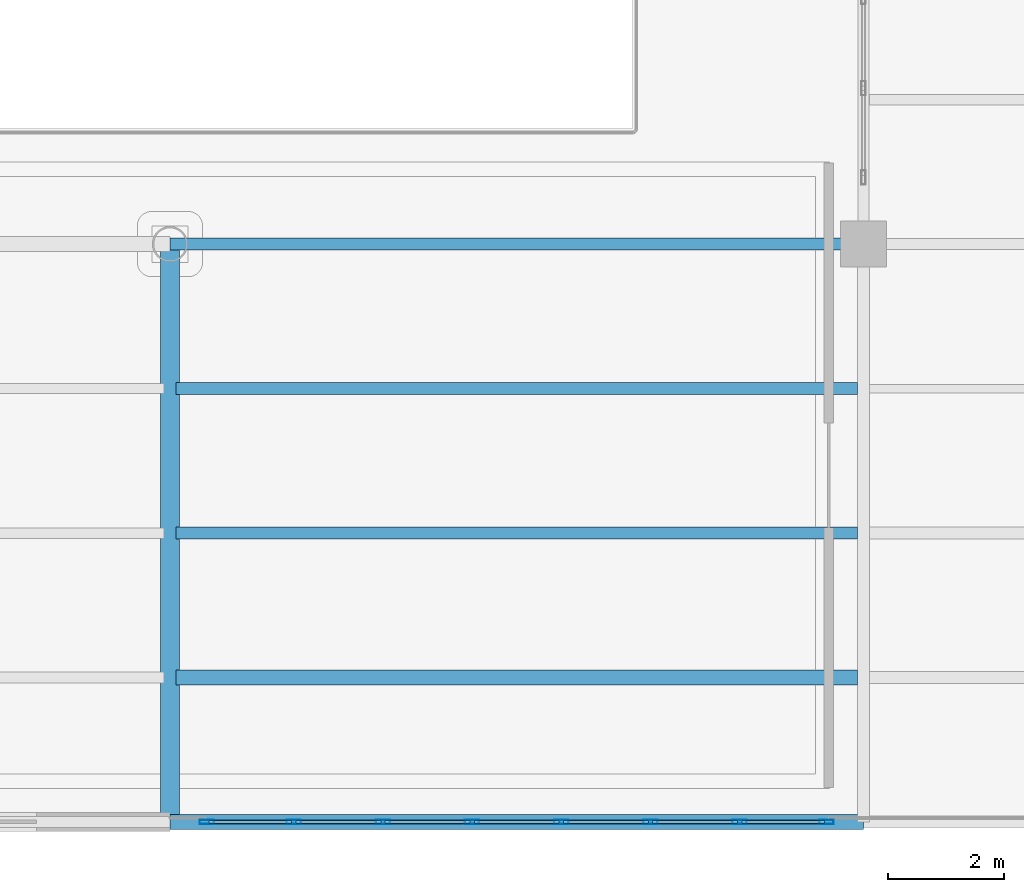
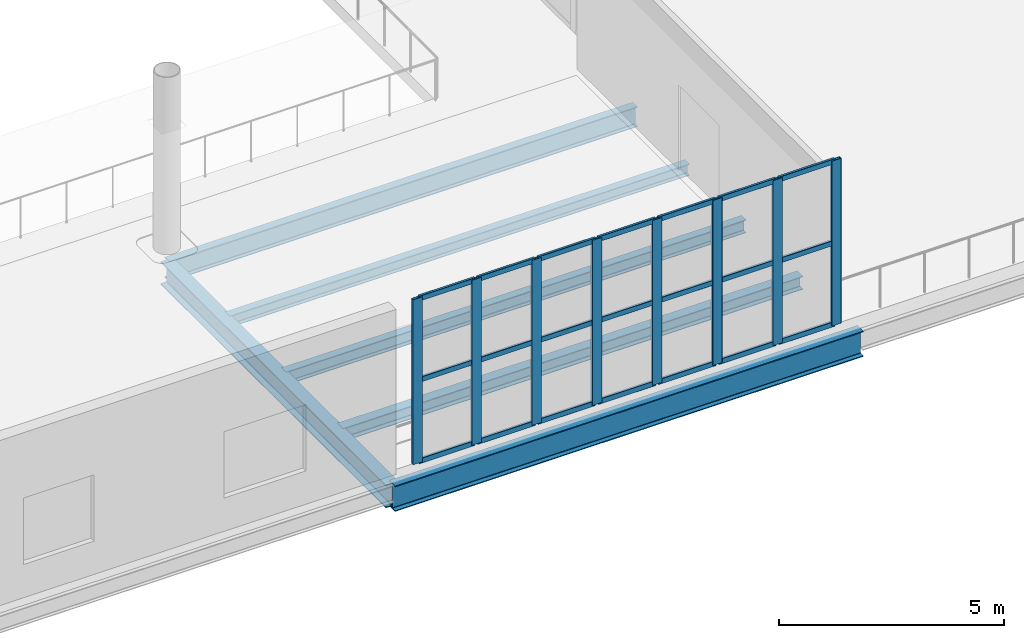
# One storey, part 22 of 136: 29 members, 6 beams, 1 element without a shape of its own.
"""IFC4 building model written with IfcOpenShell, lengths in metres."""

from ifc_helpers import new_model, si_unit, direction, frame, origin, origin_2d, place, context, subcontext, project, spatial, hollow_rectangle, i_section, extrude, material, layer, layer_set, material_profile, profile_set, type_object, element, aggregate, save


model = new_model("IFC4")

# Units and contexts
model_context = context("Model", 3, precision=1e-05, world=origin(), true_north=direction((0.0, 1.0)))
body_context = subcontext(model_context, "Body", "Model", "MODEL_VIEW")
ifc_project = project(units=[si_unit("LENGTHUNIT", "METRE"), si_unit("AREAUNIT", "SQUARE_METRE"), si_unit("VOLUMEUNIT", "CUBIC_METRE"), si_unit("PLANEANGLEUNIT", "RADIAN"), si_unit("MASSUNIT", "GRAM", prefix="KILO")], contexts=[model_context])

# Site, building, storey
site_placement = place(None, origin())
site = spatial("IfcSite", under=ifc_project, at=site_placement, CompositionType="ELEMENT")
building_placement = place(site_placement, origin())
building = spatial("IfcBuilding", under=site, at=building_placement, Name="Brinegate Civic Arena", CompositionType="ELEMENT")
storey_placement = place(building_placement, frame((0.0, 0.0, 5.39990234375)))
storey = spatial("IfcBuildingStorey", under=building, at=storey_placement, Name="L01", CompositionType="ELEMENT", Elevation=5.39990234375)

# Curtain wall, members
ifc_material_1 = material(Name="Marine grade aluminium", Category="aluminium")
ifc_layer = layer(ifc_material_1, 0.18505859375, Name="Marine grade aluminium")
ifc_layer_set = layer_set([ifc_layer], Name="Marine grade aluminium")
curtain_wall_type = type_object("IfcCurtainWallType", Name="CW-WING-GLAZED-03", PredefinedType="USERDEFINED", material=ifc_layer_set)
curtain_wall_placement = place(storey_placement, origin())
curtain_wall = element("IfcCurtainWall", 1, at=curtain_wall_placement, inside=storey, type_object=curtain_wall_type, Name="Curtain Wall CWA-017", ObjectType="GLAZED CURTAIN WALL", PredefinedType="USERDEFINED")
ifc_material_profile_1 = material_profile(ifc_material_1, hollow_rectangle(XDim=0.074951171875, YDim=0.25, WallThickness=0.006103515625, InnerFilletRadius=0.00390625, OuterFilletRadius=0.008056640625, at=origin_2d()), Name="MUL75X250")
ifc_profile_set_1 = profile_set([ifc_material_profile_1], Name="Marine grade aluminium")
member_type_1 = type_object("IfcMemberType", Name="CW-MULLION-75X250", PredefinedType="MULLION", material=ifc_profile_set_1)
member_1_placement = place(storey_placement, frame((36.637451171875, 0.0, 0.0), z_axis=(0.0, 0.0, 1.0), x_axis=(0.0, 1.0, 0.0)))
member_1 = element("IfcMember", 2, at=member_1_placement, type_object=member_type_1, Name="CWA-017 mullion 1", PredefinedType="MULLION", context=body_context, shape_type="SweptSolid", body=[
    extrude(hollow_rectangle(XDim=0.074951171875, YDim=0.25, WallThickness=0.006103515625, InnerFilletRadius=0.00390625, OuterFilletRadius=0.008056640625, at=origin_2d()), origin(), (0.0, 0.0, 1.0), 4.47021484375),
])
member_2_placement = place(storey_placement, frame((38.142822265625, 0.0, 0.0), z_axis=(0.0, 0.0, 1.0), x_axis=(0.0, 1.0, 0.0)))
member_2 = element("IfcMember", 3, at=member_2_placement, type_object=member_type_1, Name="CWA-017 mullion 2", PredefinedType="MULLION", context=body_context, shape_type="SweptSolid", body=[
    extrude(hollow_rectangle(XDim=0.074951171875, YDim=0.25, WallThickness=0.006103515625, InnerFilletRadius=0.00390625, OuterFilletRadius=0.008056640625, at=origin_2d()), origin(), (0.0, 0.0, 1.0), 4.47021484375),
])
member_3_placement = place(storey_placement, frame((39.685791015625, 0.0, 0.0), z_axis=(0.0, 0.0, 1.0), x_axis=(0.0, 1.0, 0.0)))
member_3 = element("IfcMember", 4, at=member_3_placement, type_object=member_type_1, Name="CWA-017 mullion 3", PredefinedType="MULLION", context=body_context, shape_type="SweptSolid", body=[
    extrude(hollow_rectangle(XDim=0.074951171875, YDim=0.25, WallThickness=0.006103515625, InnerFilletRadius=0.00390625, OuterFilletRadius=0.008056640625, at=origin_2d()), origin(), (0.0, 0.0, 1.0), 4.47021484375),
])
member_4_placement = place(storey_placement, frame((41.228515625, 0.0, 0.0), z_axis=(0.0, 0.0, 1.0), x_axis=(0.0, 1.0, 0.0)))
member_4 = element("IfcMember", 5, at=member_4_placement, type_object=member_type_1, Name="CWA-017 mullion 4", PredefinedType="MULLION", context=body_context, shape_type="SweptSolid", body=[
    extrude(hollow_rectangle(XDim=0.074951171875, YDim=0.25, WallThickness=0.006103515625, InnerFilletRadius=0.00390625, OuterFilletRadius=0.008056640625, at=origin_2d()), origin(), (0.0, 0.0, 1.0), 4.47021484375),
])
member_5_placement = place(storey_placement, frame((42.771484375, 0.0, 0.0), z_axis=(0.0, 0.0, 1.0), x_axis=(0.0, 1.0, 0.0)))
member_5 = element("IfcMember", 6, at=member_5_placement, type_object=member_type_1, Name="CWA-017 mullion 5", PredefinedType="MULLION", context=body_context, shape_type="SweptSolid", body=[
    extrude(hollow_rectangle(XDim=0.074951171875, YDim=0.25, WallThickness=0.006103515625, InnerFilletRadius=0.00390625, OuterFilletRadius=0.008056640625, at=origin_2d()), origin(), (0.0, 0.0, 1.0), 4.47021484375),
])
member_6_placement = place(storey_placement, frame((44.314208984375, 0.0, 0.0), z_axis=(0.0, 0.0, 1.0), x_axis=(0.0, 1.0, 0.0)))
member_6 = element("IfcMember", 7, at=member_6_placement, type_object=member_type_1, Name="CWA-017 mullion 6", PredefinedType="MULLION", context=body_context, shape_type="SweptSolid", body=[
    extrude(hollow_rectangle(XDim=0.074951171875, YDim=0.25, WallThickness=0.006103515625, InnerFilletRadius=0.00390625, OuterFilletRadius=0.008056640625, at=origin_2d()), origin(), (0.0, 0.0, 1.0), 4.47021484375),
])
member_7_placement = place(storey_placement, frame((45.857177734375, 0.0, 0.0), z_axis=(0.0, 0.0, 1.0), x_axis=(0.0, 1.0, 0.0)))
member_7 = element("IfcMember", 8, at=member_7_placement, type_object=member_type_1, Name="CWA-017 mullion 7", PredefinedType="MULLION", context=body_context, shape_type="SweptSolid", body=[
    extrude(hollow_rectangle(XDim=0.074951171875, YDim=0.25, WallThickness=0.006103515625, InnerFilletRadius=0.00390625, OuterFilletRadius=0.008056640625, at=origin_2d()), origin(), (0.0, 0.0, 1.0), 4.47021484375),
])
member_8_placement = place(storey_placement, frame((47.362548828125, 0.0, 0.0), z_axis=(0.0, 0.0, 1.0), x_axis=(0.0, 1.0, 0.0)))
member_8 = element("IfcMember", 9, at=member_8_placement, type_object=member_type_1, Name="CWA-017 mullion 8", PredefinedType="MULLION", context=body_context, shape_type="SweptSolid", body=[
    extrude(hollow_rectangle(XDim=0.074951171875, YDim=0.25, WallThickness=0.006103515625, InnerFilletRadius=0.00390625, OuterFilletRadius=0.008056640625, at=origin_2d()), origin(), (0.0, 0.0, 1.0), 4.47021484375),
])
ifc_material_profile_2 = material_profile(ifc_material_1, hollow_rectangle(XDim=0.06494140625, YDim=0.139892578125, WallThickness=0.0048828125, InnerFilletRadius=0.00390625, OuterFilletRadius=0.008056640625, at=origin_2d()), Name="TRN65X140")
ifc_profile_set_2 = profile_set([ifc_material_profile_2], Name="Marine grade aluminium")
member_type_2 = type_object("IfcMemberType", Name="CW-TRANSOM-65X140", PredefinedType="USERDEFINED", material=ifc_profile_set_2)
member_9_placement = place(storey_placement, frame((36.675048828125, 0.0, 0.03271484375), z_axis=(1.0, 0.0, 0.0), x_axis=(0.0, 1.0, 0.0)))
member_9 = element("IfcMember", 10, at=member_9_placement, type_object=member_type_2, Name="CWA-017 transom 1.1", ObjectType="TRANSOM", PredefinedType="USERDEFINED", context=body_context, shape_type="SweptSolid", body=[
    extrude(hollow_rectangle(XDim=0.06494140625, YDim=0.139892578125, WallThickness=0.0048828125, InnerFilletRadius=0.00390625, OuterFilletRadius=0.008056640625, at=origin_2d()), origin(), (0.0, 0.0, 1.0), 1.430419921875),
])
member_10_placement = place(storey_placement, frame((36.675048828125, 0.0, 2.235107421875), z_axis=(1.0, 0.0, 0.0), x_axis=(0.0, 1.0, 0.0)))
member_10 = element("IfcMember", 11, at=member_10_placement, type_object=member_type_2, Name="CWA-017 transom 1.2", ObjectType="TRANSOM", PredefinedType="USERDEFINED", context=body_context, shape_type="SweptSolid", body=[
    extrude(hollow_rectangle(XDim=0.06494140625, YDim=0.139892578125, WallThickness=0.0048828125, InnerFilletRadius=0.00390625, OuterFilletRadius=0.008056640625, at=origin_2d()), origin(), (0.0, 0.0, 1.0), 1.430419921875),
])
member_11_placement = place(storey_placement, frame((36.675048828125, 0.0, 4.4375), z_axis=(1.0, 0.0, 0.0), x_axis=(0.0, 1.0, 0.0)))
member_11 = element("IfcMember", 12, at=member_11_placement, type_object=member_type_2, Name="CWA-017 transom 1.3", ObjectType="TRANSOM", PredefinedType="USERDEFINED", context=body_context, shape_type="SweptSolid", body=[
    extrude(hollow_rectangle(XDim=0.06494140625, YDim=0.139892578125, WallThickness=0.0048828125, InnerFilletRadius=0.00390625, OuterFilletRadius=0.008056640625, at=origin_2d()), origin(), (0.0, 0.0, 1.0), 1.430419921875),
])
member_12_placement = place(storey_placement, frame((38.180419921875, 0.0, 0.03271484375), z_axis=(1.0, 0.0, 0.0), x_axis=(0.0, 1.0, 0.0)))
member_12 = element("IfcMember", 13, at=member_12_placement, type_object=member_type_2, Name="CWA-017 transom 2.1", ObjectType="TRANSOM", PredefinedType="USERDEFINED", context=body_context, shape_type="SweptSolid", body=[
    extrude(hollow_rectangle(XDim=0.06494140625, YDim=0.139892578125, WallThickness=0.0048828125, InnerFilletRadius=0.00390625, OuterFilletRadius=0.008056640625, at=origin_2d()), origin(), (0.0, 0.0, 1.0), 1.4677734375),
])
member_13_placement = place(storey_placement, frame((38.180419921875, 0.0, 2.235107421875), z_axis=(1.0, 0.0, 0.0), x_axis=(0.0, 1.0, 0.0)))
member_13 = element("IfcMember", 14, at=member_13_placement, type_object=member_type_2, Name="CWA-017 transom 2.2", ObjectType="TRANSOM", PredefinedType="USERDEFINED", context=body_context, shape_type="SweptSolid", body=[
    extrude(hollow_rectangle(XDim=0.06494140625, YDim=0.139892578125, WallThickness=0.0048828125, InnerFilletRadius=0.00390625, OuterFilletRadius=0.008056640625, at=origin_2d()), origin(), (0.0, 0.0, 1.0), 1.4677734375),
])
member_14_placement = place(storey_placement, frame((38.180419921875, 0.0, 4.4375), z_axis=(1.0, 0.0, 0.0), x_axis=(0.0, 1.0, 0.0)))
member_14 = element("IfcMember", 15, at=member_14_placement, type_object=member_type_2, Name="CWA-017 transom 2.3", ObjectType="TRANSOM", PredefinedType="USERDEFINED", context=body_context, shape_type="SweptSolid", body=[
    extrude(hollow_rectangle(XDim=0.06494140625, YDim=0.139892578125, WallThickness=0.0048828125, InnerFilletRadius=0.00390625, OuterFilletRadius=0.008056640625, at=origin_2d()), origin(), (0.0, 0.0, 1.0), 1.4677734375),
])
member_15_placement = place(storey_placement, frame((39.72314453125, 0.0, 0.03271484375), z_axis=(1.0, 0.0, 0.0), x_axis=(0.0, 1.0, 0.0)))
member_15 = element("IfcMember", 16, at=member_15_placement, type_object=member_type_2, Name="CWA-017 transom 3.1", ObjectType="TRANSOM", PredefinedType="USERDEFINED", context=body_context, shape_type="SweptSolid", body=[
    extrude(hollow_rectangle(XDim=0.06494140625, YDim=0.139892578125, WallThickness=0.0048828125, InnerFilletRadius=0.00390625, OuterFilletRadius=0.008056640625, at=origin_2d()), origin(), (0.0, 0.0, 1.0), 1.468017578125),
])
member_16_placement = place(storey_placement, frame((39.72314453125, 0.0, 2.235107421875), z_axis=(1.0, 0.0, 0.0), x_axis=(0.0, 1.0, 0.0)))
member_16 = element("IfcMember", 17, at=member_16_placement, type_object=member_type_2, Name="CWA-017 transom 3.2", ObjectType="TRANSOM", PredefinedType="USERDEFINED", context=body_context, shape_type="SweptSolid", body=[
    extrude(hollow_rectangle(XDim=0.06494140625, YDim=0.139892578125, WallThickness=0.0048828125, InnerFilletRadius=0.00390625, OuterFilletRadius=0.008056640625, at=origin_2d()), origin(), (0.0, 0.0, 1.0), 1.468017578125),
])
member_17_placement = place(storey_placement, frame((39.72314453125, 0.0, 4.4375), z_axis=(1.0, 0.0, 0.0), x_axis=(0.0, 1.0, 0.0)))
member_17 = element("IfcMember", 18, at=member_17_placement, type_object=member_type_2, Name="CWA-017 transom 3.3", ObjectType="TRANSOM", PredefinedType="USERDEFINED", context=body_context, shape_type="SweptSolid", body=[
    extrude(hollow_rectangle(XDim=0.06494140625, YDim=0.139892578125, WallThickness=0.0048828125, InnerFilletRadius=0.00390625, OuterFilletRadius=0.008056640625, at=origin_2d()), origin(), (0.0, 0.0, 1.0), 1.468017578125),
])
member_18_placement = place(storey_placement, frame((41.26611328125, 0.0, 0.03271484375), z_axis=(1.0, 0.0, 0.0), x_axis=(0.0, 1.0, 0.0)))
member_18 = element("IfcMember", 19, at=member_18_placement, type_object=member_type_2, Name="CWA-017 transom 4.1", ObjectType="TRANSOM", PredefinedType="USERDEFINED", context=body_context, shape_type="SweptSolid", body=[
    extrude(hollow_rectangle(XDim=0.06494140625, YDim=0.139892578125, WallThickness=0.0048828125, InnerFilletRadius=0.00390625, OuterFilletRadius=0.008056640625, at=origin_2d()), origin(), (0.0, 0.0, 1.0), 1.4677734375),
])
member_19_placement = place(storey_placement, frame((41.26611328125, 0.0, 2.235107421875), z_axis=(1.0, 0.0, 0.0), x_axis=(0.0, 1.0, 0.0)))
member_19 = element("IfcMember", 20, at=member_19_placement, type_object=member_type_2, Name="CWA-017 transom 4.2", ObjectType="TRANSOM", PredefinedType="USERDEFINED", context=body_context, shape_type="SweptSolid", body=[
    extrude(hollow_rectangle(XDim=0.06494140625, YDim=0.139892578125, WallThickness=0.0048828125, InnerFilletRadius=0.00390625, OuterFilletRadius=0.008056640625, at=origin_2d()), origin(), (0.0, 0.0, 1.0), 1.4677734375),
])
member_20_placement = place(storey_placement, frame((41.26611328125, 0.0, 4.4375), z_axis=(1.0, 0.0, 0.0), x_axis=(0.0, 1.0, 0.0)))
member_20 = element("IfcMember", 21, at=member_20_placement, type_object=member_type_2, Name="CWA-017 transom 4.3", ObjectType="TRANSOM", PredefinedType="USERDEFINED", context=body_context, shape_type="SweptSolid", body=[
    extrude(hollow_rectangle(XDim=0.06494140625, YDim=0.139892578125, WallThickness=0.0048828125, InnerFilletRadius=0.00390625, OuterFilletRadius=0.008056640625, at=origin_2d()), origin(), (0.0, 0.0, 1.0), 1.4677734375),
])
member_21_placement = place(storey_placement, frame((42.808837890625, 0.0, 0.03271484375), z_axis=(1.0, 0.0, 0.0), x_axis=(0.0, 1.0, 0.0)))
member_21 = element("IfcMember", 22, at=member_21_placement, type_object=member_type_2, Name="CWA-017 transom 5.1", ObjectType="TRANSOM", PredefinedType="USERDEFINED", context=body_context, shape_type="SweptSolid", body=[
    extrude(hollow_rectangle(XDim=0.06494140625, YDim=0.139892578125, WallThickness=0.0048828125, InnerFilletRadius=0.00390625, OuterFilletRadius=0.008056640625, at=origin_2d()), origin(), (0.0, 0.0, 1.0), 1.468017578125),
])
member_22_placement = place(storey_placement, frame((42.808837890625, 0.0, 2.235107421875), z_axis=(1.0, 0.0, 0.0), x_axis=(0.0, 1.0, 0.0)))
member_22 = element("IfcMember", 23, at=member_22_placement, type_object=member_type_2, Name="CWA-017 transom 5.2", ObjectType="TRANSOM", PredefinedType="USERDEFINED", context=body_context, shape_type="SweptSolid", body=[
    extrude(hollow_rectangle(XDim=0.06494140625, YDim=0.139892578125, WallThickness=0.0048828125, InnerFilletRadius=0.00390625, OuterFilletRadius=0.008056640625, at=origin_2d()), origin(), (0.0, 0.0, 1.0), 1.468017578125),
])
member_23_placement = place(storey_placement, frame((42.808837890625, 0.0, 4.4375), z_axis=(1.0, 0.0, 0.0), x_axis=(0.0, 1.0, 0.0)))
member_23 = element("IfcMember", 24, at=member_23_placement, type_object=member_type_2, Name="CWA-017 transom 5.3", ObjectType="TRANSOM", PredefinedType="USERDEFINED", context=body_context, shape_type="SweptSolid", body=[
    extrude(hollow_rectangle(XDim=0.06494140625, YDim=0.139892578125, WallThickness=0.0048828125, InnerFilletRadius=0.00390625, OuterFilletRadius=0.008056640625, at=origin_2d()), origin(), (0.0, 0.0, 1.0), 1.468017578125),
])
member_24_placement = place(storey_placement, frame((44.351806640625, 0.0, 0.03271484375), z_axis=(1.0, 0.0, 0.0), x_axis=(0.0, 1.0, 0.0)))
member_24 = element("IfcMember", 25, at=member_24_placement, type_object=member_type_2, Name="CWA-017 transom 6.1", ObjectType="TRANSOM", PredefinedType="USERDEFINED", context=body_context, shape_type="SweptSolid", body=[
    extrude(hollow_rectangle(XDim=0.06494140625, YDim=0.139892578125, WallThickness=0.0048828125, InnerFilletRadius=0.00390625, OuterFilletRadius=0.008056640625, at=origin_2d()), origin(), (0.0, 0.0, 1.0), 1.4677734375),
])
member_25_placement = place(storey_placement, frame((44.351806640625, 0.0, 2.235107421875), z_axis=(1.0, 0.0, 0.0), x_axis=(0.0, 1.0, 0.0)))
member_25 = element("IfcMember", 26, at=member_25_placement, type_object=member_type_2, Name="CWA-017 transom 6.2", ObjectType="TRANSOM", PredefinedType="USERDEFINED", context=body_context, shape_type="SweptSolid", body=[
    extrude(hollow_rectangle(XDim=0.06494140625, YDim=0.139892578125, WallThickness=0.0048828125, InnerFilletRadius=0.00390625, OuterFilletRadius=0.008056640625, at=origin_2d()), origin(), (0.0, 0.0, 1.0), 1.4677734375),
])
member_26_placement = place(storey_placement, frame((44.351806640625, 0.0, 4.4375), z_axis=(1.0, 0.0, 0.0), x_axis=(0.0, 1.0, 0.0)))
member_26 = element("IfcMember", 27, at=member_26_placement, type_object=member_type_2, Name="CWA-017 transom 6.3", ObjectType="TRANSOM", PredefinedType="USERDEFINED", context=body_context, shape_type="SweptSolid", body=[
    extrude(hollow_rectangle(XDim=0.06494140625, YDim=0.139892578125, WallThickness=0.0048828125, InnerFilletRadius=0.00390625, OuterFilletRadius=0.008056640625, at=origin_2d()), origin(), (0.0, 0.0, 1.0), 1.4677734375),
])
member_27_placement = place(storey_placement, frame((45.89453125, 0.0, 0.03271484375), z_axis=(1.0, 0.0, 0.0), x_axis=(0.0, 1.0, 0.0)))
member_27 = element("IfcMember", 28, at=member_27_placement, type_object=member_type_2, Name="CWA-017 transom 7.1", ObjectType="TRANSOM", PredefinedType="USERDEFINED", context=body_context, shape_type="SweptSolid", body=[
    extrude(hollow_rectangle(XDim=0.06494140625, YDim=0.139892578125, WallThickness=0.0048828125, InnerFilletRadius=0.00390625, OuterFilletRadius=0.008056640625, at=origin_2d()), origin(), (0.0, 0.0, 1.0), 1.430419921875),
])
member_28_placement = place(storey_placement, frame((45.89453125, 0.0, 2.235107421875), z_axis=(1.0, 0.0, 0.0), x_axis=(0.0, 1.0, 0.0)))
member_28 = element("IfcMember", 29, at=member_28_placement, type_object=member_type_2, Name="CWA-017 transom 7.2", ObjectType="TRANSOM", PredefinedType="USERDEFINED", context=body_context, shape_type="SweptSolid", body=[
    extrude(hollow_rectangle(XDim=0.06494140625, YDim=0.139892578125, WallThickness=0.0048828125, InnerFilletRadius=0.00390625, OuterFilletRadius=0.008056640625, at=origin_2d()), origin(), (0.0, 0.0, 1.0), 1.430419921875),
])
member_29_placement = place(storey_placement, frame((45.89453125, 0.0, 4.4375), z_axis=(1.0, 0.0, 0.0), x_axis=(0.0, 1.0, 0.0)))
member_29 = element("IfcMember", 30, at=member_29_placement, type_object=member_type_2, Name="CWA-017 transom 7.3", ObjectType="TRANSOM", PredefinedType="USERDEFINED", context=body_context, shape_type="SweptSolid", body=[
    extrude(hollow_rectangle(XDim=0.06494140625, YDim=0.139892578125, WallThickness=0.0048828125, InnerFilletRadius=0.00390625, OuterFilletRadius=0.008056640625, at=origin_2d()), origin(), (0.0, 0.0, 1.0), 1.430419921875),
])
aggregate(curtain_wall, [member_1, member_2, member_3, member_4, member_5, member_6, member_7, member_8, member_9, member_10, member_11, member_12, member_13, member_14, member_15, member_16, member_17, member_18, member_19, member_20, member_21, member_22, member_23, member_24, member_25, member_26, member_27, member_28, member_29])

# Beams
ifc_material_2 = material(Name="Steel S355", Category="steel")
ifc_material_profile_3 = material_profile(ifc_material_2, i_section(OverallWidth=0.324951171875, OverallDepth=0.615966796875, WebThickness=0.013916015625, FlangeThickness=0.02197265625, FilletRadius=0.01611328125, at=origin_2d()), Name="W610X174")
ifc_profile_set_3 = profile_set([ifc_material_profile_3], Name="Steel S355")
beam_type_1 = type_object("IfcBeamType", Name="GIRDER-W610X174", PredefinedType="BEAM", material=ifc_profile_set_3)
beam_1_placement = place(storey_placement, frame((36.0, 0.0, -0.64794921875), z_axis=(0.0, 1.0, 0.0), x_axis=(-1.0, 0.0, 0.0)))
element("IfcBeam", 31, at=beam_1_placement, inside=storey, type_object=beam_type_1, Name="Floor Girder BM-L01-GY-03-00", PredefinedType="BEAM", context=body_context, shape_type="SweptSolid", body=[
    extrude(i_section(OverallWidth=0.324951171875, OverallDepth=0.615966796875, WebThickness=0.013916015625, FlangeThickness=0.02197265625, FilletRadius=0.01611328125, at=origin_2d()), origin(), (0.0, 0.0, 1.0), 10.0),
])
ifc_material_profile_4 = material_profile(ifc_material_2, i_section(OverallWidth=0.205078125, OverallDepth=0.31005859375, WebThickness=0.009033203125, FlangeThickness=0.01611328125, FilletRadius=0.012939453125, at=origin_2d()), Name="W310X74")
ifc_profile_set_4 = profile_set([ifc_material_profile_4], Name="Steel S355")
beam_type_2 = type_object("IfcBeamType", Name="JOIST-W310X74", PredefinedType="JOIST", material=ifc_profile_set_4)
beam_2_placement = place(storey_placement, frame((36.10595703125, 7.5, -0.494873046875), z_axis=(1.0, 0.0, 0.0), x_axis=(0.0, 1.0, 0.0)))
element("IfcBeam", 32, at=beam_2_placement, inside=storey, type_object=beam_type_2, Name="Secondary Joist BM-L01-JX-03-00-3", PredefinedType="JOIST", context=body_context, shape_type="SweptSolid", body=[
    extrude(i_section(OverallWidth=0.205078125, OverallDepth=0.31005859375, WebThickness=0.009033203125, FlangeThickness=0.01611328125, FilletRadius=0.012939453125, at=origin_2d()), origin(), (0.0, 0.0, 1.0), 11.7880859375),
])
ifc_material_profile_5 = material_profile(ifc_material_2, i_section(OverallWidth=0.205078125, OverallDepth=0.35400390625, WebThickness=0.009033203125, FlangeThickness=0.01708984375, FilletRadius=0.013916015625, at=origin_2d()), Name="W360X79")
ifc_profile_set_5 = profile_set([ifc_material_profile_5], Name="Steel S355")
beam_type_3 = type_object("IfcBeamType", Name="JOIST-W360X79", PredefinedType="JOIST", material=ifc_profile_set_5)
beam_3_placement = place(storey_placement, frame((36.10595703125, 5.0, -0.516845703125), z_axis=(1.0, 0.0, 0.0), x_axis=(0.0, 1.0, 0.0)))
element("IfcBeam", 33, at=beam_3_placement, inside=storey, type_object=beam_type_3, Name="Secondary Joist BM-L01-JX-03-00-2", PredefinedType="JOIST", context=body_context, shape_type="SweptSolid", body=[
    extrude(i_section(OverallWidth=0.205078125, OverallDepth=0.35400390625, WebThickness=0.009033203125, FlangeThickness=0.01708984375, FilletRadius=0.013916015625, at=origin_2d()), origin(), (0.0, 0.0, 1.0), 11.7880859375),
])
ifc_material_profile_6 = material_profile(ifc_material_2, i_section(OverallWidth=0.25390625, OverallDepth=0.35302734375, WebThickness=0.010009765625, FlangeThickness=0.01611328125, FilletRadius=0.013916015625, at=origin_2d()), Name="W360X91")
ifc_profile_set_6 = profile_set([ifc_material_profile_6], Name="Steel S355")
beam_type_4 = type_object("IfcBeamType", Name="JOIST-W360X91", PredefinedType="JOIST", material=ifc_profile_set_6)
beam_4_placement = place(storey_placement, frame((36.10595703125, 2.5, -0.515869140625), z_axis=(1.0, 0.0, 0.0), x_axis=(0.0, 1.0, 0.0)))
element("IfcBeam", 34, at=beam_4_placement, inside=storey, type_object=beam_type_4, Name="Secondary Joist BM-L01-JX-03-00-1", PredefinedType="JOIST", context=body_context, shape_type="SweptSolid", body=[
    extrude(i_section(OverallWidth=0.25390625, OverallDepth=0.35302734375, WebThickness=0.010009765625, FlangeThickness=0.01611328125, FilletRadius=0.013916015625, at=origin_2d()), origin(), (0.0, 0.0, 1.0), 11.7880859375),
])
ifc_material_profile_7 = material_profile(ifc_material_2, i_section(OverallWidth=0.2119140625, OverallDepth=0.5439453125, WebThickness=0.012939453125, FlangeThickness=0.02099609375, FilletRadius=0.01611328125, at=origin_2d()), Name="W530X123")
ifc_profile_set_7 = profile_set([ifc_material_profile_7], Name="Steel S355")
beam_type_5 = type_object("IfcBeamType", Name="SPANDREL-W530X123", PredefinedType="SPANDREL", material=ifc_profile_set_7)
beam_5_placement = place(storey_placement, frame((36.0, 10.0, -0.61181640625), z_axis=(1.0, 0.0, 0.0), x_axis=(0.0, 1.0, 0.0)))
element("IfcBeam", 35, at=beam_5_placement, inside=storey, type_object=beam_type_5, Name="Floor Girder BM-L01-GX-03-01", PredefinedType="SPANDREL", context=body_context, shape_type="SweptSolid", body=[
    extrude(i_section(OverallWidth=0.2119140625, OverallDepth=0.5439453125, WebThickness=0.012939453125, FlangeThickness=0.02099609375, FilletRadius=0.01611328125, at=origin_2d()), origin(), (0.0, 0.0, 1.0), 12.0),
])
ifc_material_profile_8 = material_profile(ifc_material_2, i_section(OverallWidth=0.256103515625, OverallDepth=0.693115234375, WebThickness=0.014892578125, FlangeThickness=0.02392578125, FilletRadius=0.01806640625, at=origin_2d()), Name="W690X170")
ifc_profile_set_8 = profile_set([ifc_material_profile_8], Name="Steel S355")
beam_type_6 = type_object("IfcBeamType", Name="SPANDREL-W690X170", PredefinedType="SPANDREL", material=ifc_profile_set_8)
beam_6_placement = place(storey_placement, frame((36.0, 0.0, -0.685791015625), z_axis=(1.0, 0.0, 0.0), x_axis=(0.0, 1.0, 0.0)))
element("IfcBeam", 36, at=beam_6_placement, inside=storey, type_object=beam_type_6, Name="Floor Girder BM-L01-GX-03-00", PredefinedType="SPANDREL", context=body_context, shape_type="SweptSolid", body=[
    extrude(i_section(OverallWidth=0.256103515625, OverallDepth=0.693115234375, WebThickness=0.014892578125, FlangeThickness=0.02392578125, FilletRadius=0.01806640625, at=origin_2d()), origin(), (0.0, 0.0, 1.0), 12.0),
])

save(model, "model.ifc")
